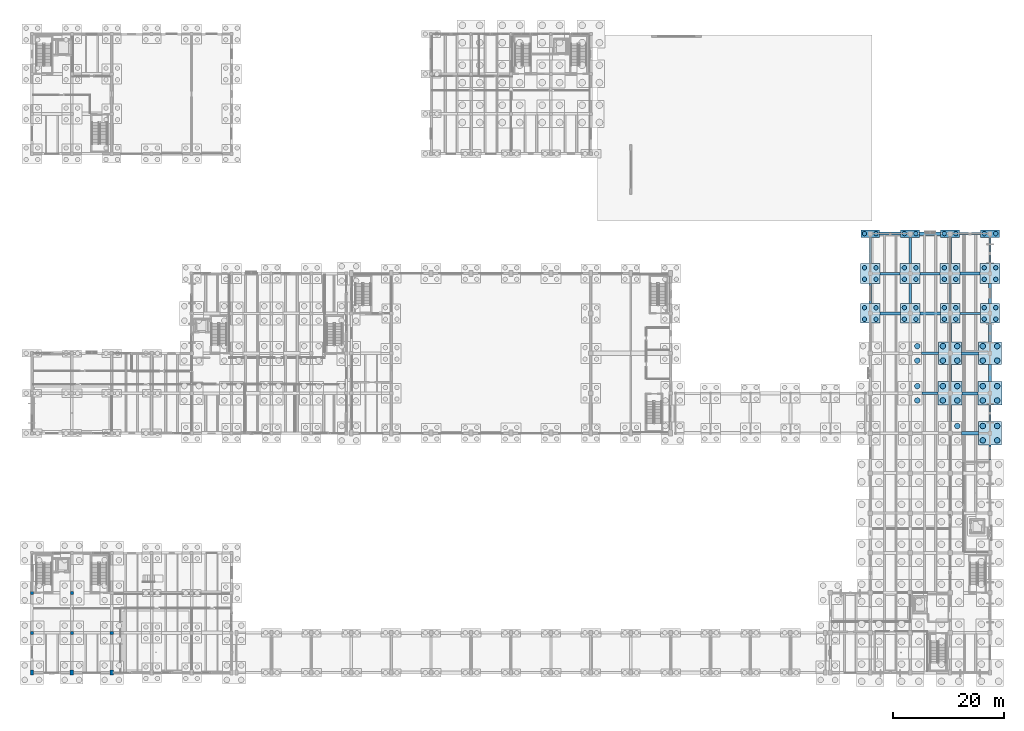
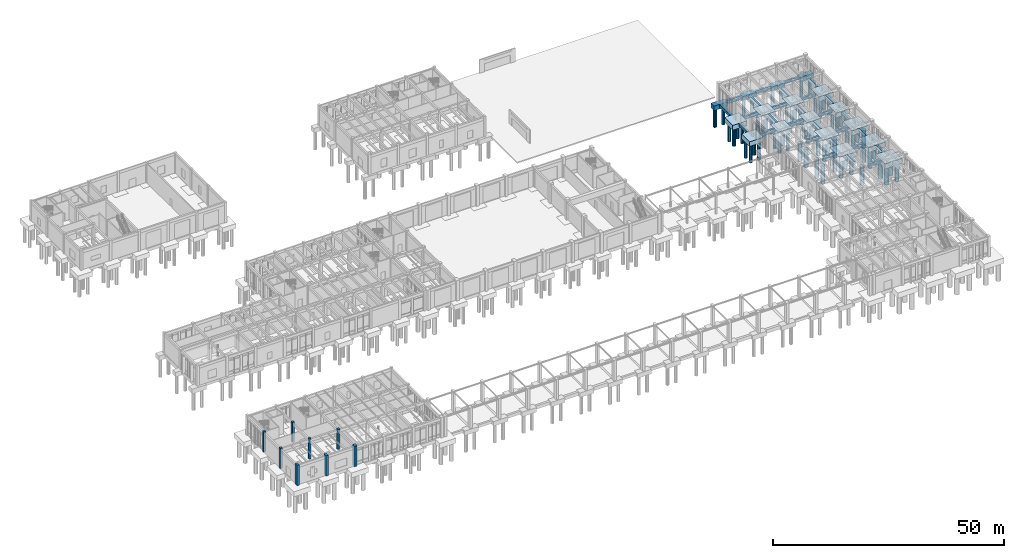
# One storey, part 10 of 93: 65 piles, 46 footings, 8 columns.
"""IFC4 building model written with IfcOpenShell, lengths in metres."""

from ifc_helpers import new_model, si_unit, direction, frame, origin, origin_2d, place, context, subcontext, project, spatial, rectangle, circle, extrude, material, material_profile, profile_set, type_object, element, save


model = new_model("IFC4")

# Units and contexts
model_context = context("Model", 3, precision=1e-05, world=origin(), true_north=direction((0.0, 1.0)))
body_context = subcontext(model_context, "Body", "Model", "MODEL_VIEW")
ifc_project = project(units=[si_unit("LENGTHUNIT", "METRE"), si_unit("AREAUNIT", "SQUARE_METRE"), si_unit("VOLUMEUNIT", "CUBIC_METRE"), si_unit("PLANEANGLEUNIT", "RADIAN"), si_unit("MASSUNIT", "GRAM", prefix="KILO")], contexts=[model_context])

# Site, building, storey
site_placement = place(None, origin())
site = spatial("IfcSite", under=ifc_project, at=site_placement, CompositionType="ELEMENT")
building_placement = place(site_placement, origin())
building = spatial("IfcBuilding", under=site, at=building_placement, Name="Koriwan Promenade Central Fire Station", CompositionType="ELEMENT")
storey_placement = place(building_placement, origin())
storey = spatial("IfcBuildingStorey", under=building, at=storey_placement, Name="L00", CompositionType="ELEMENT", Elevation=0.0)

# Piles
ifc_material_1 = material(Name="Concrete C35/45", Category="concrete")
ifc_material_profile_1 = material_profile(ifc_material_1, circle(Radius=0.5, at=origin_2d()), Name="PILE-D1000")
ifc_profile_set_1 = profile_set([ifc_material_profile_1], Name="Concrete C35/45")
pile_type_1 = type_object("IfcPileType", Name="BoredPile_1000", PredefinedType="BORED", material=ifc_profile_set_1)
for number, where, z_axis, x_axis, name in (
    (1, (159.699951171875, 49.10009765625, -1.14990234375), (0.0, 0.0, -1.0), (1.0, 0.0, 0.0), "Bored pile PCAP_185-21"),
    (2, (159.699951171875, 51.699951171875, -1.14990234375), (0.0, 0.0, -1.0), (1.0, 0.0, 0.0), "Bored pile PCAP_185-22"),
    (3, (159.699951171875, 56.300048828125, -1.14990234375), (0.0, 0.0, -1.0), (1.0, 0.0, 0.0), "Bored pile PCAP_186-21"),
    (4, (159.699951171875, 58.89990234375, -1.14990234375), (0.0, 0.0, -1.0), (1.0, 0.0, 0.0), "Bored pile PCAP_186-22"),
    (5, (166.89990234375, 44.5, -1.14990234375), (0.0, 0.0, -1.0), (1.0, 0.0, 0.0), "Bored pile PCAP_196-22"),
    (6, (164.300048828125, 49.10009765625, -1.14990234375), (0.0, 0.0, -1.0), (1.0, 0.0, 0.0), "Bored pile PCAP_197-11"),
    (7, (164.300048828125, 51.699951171875, -1.14990234375), (0.0, 0.0, -1.0), (1.0, 0.0, 0.0), "Bored pile PCAP_197-12"),
    (8, (166.89990234375, 49.10009765625, -1.14990234375), (0.0, 0.0, -1.0), (1.0, 0.0, 0.0), "Bored pile PCAP_197-21"),
    (9, (166.89990234375, 51.699951171875, -1.14990234375), (0.0, 0.0, -1.0), (1.0, 0.0, 0.0), "Bored pile PCAP_197-22"),
    (10, (164.300048828125, 56.300048828125, -1.14990234375), (0.0, 0.0, -1.0), (1.0, 0.0, 0.0), "Bored pile PCAP_198-11"),
    (11, (164.300048828125, 58.89990234375, -1.14990234375), (0.0, 0.0, -1.0), (1.0, 0.0, 0.0), "Bored pile PCAP_198-12"),
    (12, (166.89990234375, 56.300048828125, -1.14990234375), (0.0, 0.0, -1.0), (1.0, 0.0, 0.0), "Bored pile PCAP_198-21"),
    (13, (166.89990234375, 58.89990234375, -1.14990234375), (0.0, 0.0, -1.0), (1.0, 0.0, 0.0), "Bored pile PCAP_198-22"),
    (14, (171.5, 41.89990234375, -1.14990234375), (0.0, 0.0, -1.0), (1.0, 0.0, 0.0), "Bored pile PCAP_208-11"),
    (15, (171.5, 44.5, -1.14990234375), (0.0, 0.0, -1.0), (1.0, 0.0, 0.0), "Bored pile PCAP_208-12"),
    (16, (174.10009765625, 41.89990234375, -1.14990234375), (0.0, 0.0, -1.0), (1.0, 0.0, 0.0), "Bored pile PCAP_208-21"),
    (17, (174.10009765625, 44.5, -1.14990234375), (0.0, 0.0, -1.0), (1.0, 0.0, 0.0), "Bored pile PCAP_208-22"),
    (18, (171.5, 49.10009765625, -1.14990234375), (0.0, 0.0, -1.0), (1.0, 0.0, 0.0), "Bored pile PCAP_209-11"),
    (19, (171.5, 51.699951171875, -1.14990234375), (0.0, 0.0, -1.0), (1.0, 0.0, 0.0), "Bored pile PCAP_209-12"),
    (20, (174.10009765625, 49.10009765625, -1.14990234375), (0.0, 0.0, -1.0), (1.0, 0.0, 0.0), "Bored pile PCAP_209-21"),
    (21, (174.10009765625, 51.699951171875, -1.14990234375), (0.0, 0.0, -1.0), (1.0, 0.0, 0.0), "Bored pile PCAP_209-22"),
    (22, (171.5, 56.300048828125, -1.14990234375), (0.0, 0.0, -1.0), (1.0, 0.0, 0.0), "Bored pile PCAP_210-11"),
    (23, (171.5, 58.89990234375, -1.14990234375), (0.0, 0.0, -1.0), (1.0, 0.0, 0.0), "Bored pile PCAP_210-12"),
    (24, (174.10009765625, 56.300048828125, -1.14990234375), (0.0, 0.0, -1.0), (1.0, 0.0, 0.0), "Bored pile PCAP_210-21"),
    (25, (174.10009765625, 58.89990234375, -1.14990234375), (0.0, 0.0, -1.0), (1.0, 0.0, 0.0), "Bored pile PCAP_210-22"),
):
    element("IfcPile", number, at=place(storey_placement, frame(where, z_axis=z_axis, x_axis=x_axis)), inside=storey, type_object=pile_type_1, Name=name, PredefinedType="BORED", context=body_context, shape_type="SweptSolid", body=[
        extrude(circle(Radius=0.5, at=origin_2d()), origin(), (0.0, 0.0, 1.0), 4.89990234375),
    ])
ifc_material_profile_2 = material_profile(ifc_material_1, circle(Radius=0.39990234375, at=origin_2d()), Name="PILE-D800")
ifc_profile_set_2 = profile_set([ifc_material_profile_2], Name="Concrete C35/45")
pile_type_2 = type_object("IfcPileType", Name="BoredPile_800", PredefinedType="BORED", material=ifc_profile_set_2)
for number, where, z_axis, x_axis, name in (
    (26, (150.159912109375, 63.760009765625, -1.10009765625), (0.0, 0.0, -1.0), (1.0, 0.0, 0.0), "Bored pile PCAP_175-11"),
    (27, (150.159912109375, 65.840087890625, -1.10009765625), (0.0, 0.0, -1.0), (1.0, 0.0, 0.0), "Bored pile PCAP_175-12"),
    (28, (152.239990234375, 63.760009765625, -1.10009765625), (0.0, 0.0, -1.0), (1.0, 0.0, 0.0), "Bored pile PCAP_175-21"),
    (29, (152.239990234375, 65.840087890625, -1.10009765625), (0.0, 0.0, -1.0), (1.0, 0.0, 0.0), "Bored pile PCAP_175-22"),
    (30, (150.159912109375, 70.9599609375, -1.10009765625), (0.0, 0.0, -1.0), (1.0, 0.0, 0.0), "Bored pile PCAP_176-11"),
    (31, (150.159912109375, 73.0400390625, -1.10009765625), (0.0, 0.0, -1.0), (1.0, 0.0, 0.0), "Bored pile PCAP_176-12"),
    (32, (152.239990234375, 70.9599609375, -1.10009765625), (0.0, 0.0, -1.0), (1.0, 0.0, 0.0), "Bored pile PCAP_176-21"),
    (33, (152.239990234375, 73.0400390625, -1.10009765625), (0.0, 0.0, -1.0), (1.0, 0.0, 0.0), "Bored pile PCAP_176-22"),
):
    element("IfcPile", number, at=place(storey_placement, frame(where, z_axis=z_axis, x_axis=x_axis)), inside=storey, type_object=pile_type_2, Name=name, PredefinedType="BORED", context=body_context, shape_type="SweptSolid", body=[
        extrude(circle(Radius=0.39990234375, at=origin_2d()), origin(), (0.0, 0.0, 1.0), 4.949951171875),
    ])
for number, where, z_axis, x_axis, name in (
    (34, (150.159912109375, 79.199951171875, -1.050048828125), (0.0, 0.0, -1.0), (1.0, 0.0, 0.0), "Bored pile PCAP_177-11"),
    (35, (152.239990234375, 79.199951171875, -1.050048828125), (0.0, 0.0, -1.0), (1.0, 0.0, 0.0), "Bored pile PCAP_177-21"),
):
    element("IfcPile", number, at=place(storey_placement, frame(where, z_axis=z_axis, x_axis=x_axis)), inside=storey, type_object=pile_type_2, Name=name, PredefinedType="BORED", context=body_context, shape_type="SweptSolid", body=[
        extrude(circle(Radius=0.39990234375, at=origin_2d()), origin(), (0.0, 0.0, 1.0), 5.0),
    ])
for number, where, z_axis, x_axis, name in (
    (36, (157.360107421875, 63.760009765625, -1.10009765625), (0.0, 0.0, -1.0), (1.0, 0.0, 0.0), "Bored pile PCAP_187-11"),
    (37, (157.360107421875, 65.840087890625, -1.10009765625), (0.0, 0.0, -1.0), (1.0, 0.0, 0.0), "Bored pile PCAP_187-12"),
    (38, (159.43994140625, 63.760009765625, -1.10009765625), (0.0, 0.0, -1.0), (1.0, 0.0, 0.0), "Bored pile PCAP_187-21"),
    (39, (159.43994140625, 65.840087890625, -1.10009765625), (0.0, 0.0, -1.0), (1.0, 0.0, 0.0), "Bored pile PCAP_187-22"),
    (40, (157.360107421875, 70.9599609375, -1.10009765625), (0.0, 0.0, -1.0), (1.0, 0.0, 0.0), "Bored pile PCAP_188-11"),
    (41, (157.360107421875, 73.0400390625, -1.10009765625), (0.0, 0.0, -1.0), (1.0, 0.0, 0.0), "Bored pile PCAP_188-12"),
    (42, (159.43994140625, 70.9599609375, -1.10009765625), (0.0, 0.0, -1.0), (1.0, 0.0, 0.0), "Bored pile PCAP_188-21"),
    (43, (159.43994140625, 73.0400390625, -1.10009765625), (0.0, 0.0, -1.0), (1.0, 0.0, 0.0), "Bored pile PCAP_188-22"),
):
    element("IfcPile", number, at=place(storey_placement, frame(where, z_axis=z_axis, x_axis=x_axis)), inside=storey, type_object=pile_type_2, Name=name, PredefinedType="BORED", context=body_context, shape_type="SweptSolid", body=[
        extrude(circle(Radius=0.39990234375, at=origin_2d()), origin(), (0.0, 0.0, 1.0), 4.949951171875),
    ])
for number, where, z_axis, x_axis, name in (
    (44, (157.360107421875, 79.199951171875, -1.050048828125), (0.0, 0.0, -1.0), (1.0, 0.0, 0.0), "Bored pile PCAP_189-11"),
    (45, (159.43994140625, 79.199951171875, -1.050048828125), (0.0, 0.0, -1.0), (1.0, 0.0, 0.0), "Bored pile PCAP_189-21"),
):
    element("IfcPile", number, at=place(storey_placement, frame(where, z_axis=z_axis, x_axis=x_axis)), inside=storey, type_object=pile_type_2, Name=name, PredefinedType="BORED", context=body_context, shape_type="SweptSolid", body=[
        extrude(circle(Radius=0.39990234375, at=origin_2d()), origin(), (0.0, 0.0, 1.0), 5.0),
    ])
for number, where, z_axis, x_axis, name in (
    (46, (164.56005859375, 63.760009765625, -1.10009765625), (0.0, 0.0, -1.0), (1.0, 0.0, 0.0), "Bored pile PCAP_199-11"),
    (47, (164.56005859375, 65.840087890625, -1.10009765625), (0.0, 0.0, -1.0), (1.0, 0.0, 0.0), "Bored pile PCAP_199-12"),
    (48, (166.639892578125, 63.760009765625, -1.10009765625), (0.0, 0.0, -1.0), (1.0, 0.0, 0.0), "Bored pile PCAP_199-21"),
    (49, (166.639892578125, 65.840087890625, -1.10009765625), (0.0, 0.0, -1.0), (1.0, 0.0, 0.0), "Bored pile PCAP_199-22"),
    (50, (164.56005859375, 70.9599609375, -1.10009765625), (0.0, 0.0, -1.0), (1.0, 0.0, 0.0), "Bored pile PCAP_200-11"),
    (51, (164.56005859375, 73.0400390625, -1.10009765625), (0.0, 0.0, -1.0), (1.0, 0.0, 0.0), "Bored pile PCAP_200-12"),
    (52, (166.639892578125, 70.9599609375, -1.10009765625), (0.0, 0.0, -1.0), (1.0, 0.0, 0.0), "Bored pile PCAP_200-21"),
    (53, (166.639892578125, 73.0400390625, -1.10009765625), (0.0, 0.0, -1.0), (1.0, 0.0, 0.0), "Bored pile PCAP_200-22"),
):
    element("IfcPile", number, at=place(storey_placement, frame(where, z_axis=z_axis, x_axis=x_axis)), inside=storey, type_object=pile_type_2, Name=name, PredefinedType="BORED", context=body_context, shape_type="SweptSolid", body=[
        extrude(circle(Radius=0.39990234375, at=origin_2d()), origin(), (0.0, 0.0, 1.0), 4.949951171875),
    ])
for number, where, z_axis, x_axis, name in (
    (54, (164.56005859375, 79.199951171875, -1.050048828125), (0.0, 0.0, -1.0), (1.0, 0.0, 0.0), "Bored pile PCAP_201-11"),
    (55, (166.639892578125, 79.199951171875, -1.050048828125), (0.0, 0.0, -1.0), (1.0, 0.0, 0.0), "Bored pile PCAP_201-21"),
):
    element("IfcPile", number, at=place(storey_placement, frame(where, z_axis=z_axis, x_axis=x_axis)), inside=storey, type_object=pile_type_2, Name=name, PredefinedType="BORED", context=body_context, shape_type="SweptSolid", body=[
        extrude(circle(Radius=0.39990234375, at=origin_2d()), origin(), (0.0, 0.0, 1.0), 5.0),
    ])
for number, where, z_axis, x_axis, name in (
    (56, (171.760009765625, 63.760009765625, -1.10009765625), (0.0, 0.0, -1.0), (1.0, 0.0, 0.0), "Bored pile PCAP_211-11"),
    (57, (171.760009765625, 65.840087890625, -1.10009765625), (0.0, 0.0, -1.0), (1.0, 0.0, 0.0), "Bored pile PCAP_211-12"),
    (58, (173.840087890625, 63.760009765625, -1.10009765625), (0.0, 0.0, -1.0), (1.0, 0.0, 0.0), "Bored pile PCAP_211-21"),
    (59, (173.840087890625, 65.840087890625, -1.10009765625), (0.0, 0.0, -1.0), (1.0, 0.0, 0.0), "Bored pile PCAP_211-22"),
    (60, (171.760009765625, 70.9599609375, -1.10009765625), (0.0, 0.0, -1.0), (1.0, 0.0, 0.0), "Bored pile PCAP_212-11"),
    (61, (171.760009765625, 73.0400390625, -1.10009765625), (0.0, 0.0, -1.0), (1.0, 0.0, 0.0), "Bored pile PCAP_212-12"),
    (62, (173.840087890625, 70.9599609375, -1.10009765625), (0.0, 0.0, -1.0), (1.0, 0.0, 0.0), "Bored pile PCAP_212-21"),
    (63, (173.840087890625, 73.0400390625, -1.10009765625), (0.0, 0.0, -1.0), (1.0, 0.0, 0.0), "Bored pile PCAP_212-22"),
):
    element("IfcPile", number, at=place(storey_placement, frame(where, z_axis=z_axis, x_axis=x_axis)), inside=storey, type_object=pile_type_2, Name=name, PredefinedType="BORED", context=body_context, shape_type="SweptSolid", body=[
        extrude(circle(Radius=0.39990234375, at=origin_2d()), origin(), (0.0, 0.0, 1.0), 4.949951171875),
    ])
for number, where, z_axis, x_axis, name in (
    (64, (171.760009765625, 79.199951171875, -1.050048828125), (0.0, 0.0, -1.0), (1.0, 0.0, 0.0), "Bored pile PCAP_213-11"),
    (65, (173.840087890625, 79.199951171875, -1.050048828125), (0.0, 0.0, -1.0), (1.0, 0.0, 0.0), "Bored pile PCAP_213-21"),
):
    element("IfcPile", number, at=place(storey_placement, frame(where, z_axis=z_axis, x_axis=x_axis)), inside=storey, type_object=pile_type_2, Name=name, PredefinedType="BORED", context=body_context, shape_type="SweptSolid", body=[
        extrude(circle(Radius=0.39990234375, at=origin_2d()), origin(), (0.0, 0.0, 1.0), 5.0),
    ])

# Footings
footing_type_1 = type_object("IfcFootingType", Name="GroundTieBeam_400x700", PredefinedType="FOOTING_BEAM", material=ifc_material_1)
footing_1_placement = place(storey_placement, frame((169.199951171875, 64.800048828125, -0.7001953125), z_axis=(0.0, 0.0, 1.0), x_axis=(1.0, 0.0, 0.0)))
element("IfcFooting", 66, at=footing_1_placement, inside=storey, type_object=footing_type_1, Name="Seismic tie beam X-132", PredefinedType="FOOTING_BEAM", context=body_context, shape_type="SweptSolid", body=[
    extrude(rectangle(XDim=3.699951171875, YDim=0.39990234375, at=origin_2d()), origin(), (0.0, 0.0, 1.0), 0.699951171875),
])
footing_2_placement = place(storey_placement, frame((169.199951171875, 79.199951171875, -0.7001953125), z_axis=(0.0, 0.0, 1.0), x_axis=(1.0, 0.0, 0.0)))
element("IfcFooting", 67, at=footing_2_placement, inside=storey, type_object=footing_type_1, Name="Seismic tie beam X-150", PredefinedType="FOOTING_BEAM", context=body_context, shape_type="SweptSolid", body=[
    extrude(rectangle(XDim=3.800048828125, YDim=0.39990234375, at=origin_2d()), origin(), (0.0, 0.0, 1.0), 0.699951171875),
])
footing_3_placement = place(storey_placement, frame((165.60009765625, 68.375, -0.7001953125), z_axis=(0.0, 0.0, 1.0), x_axis=(0.0, 1.0, 0.0)))
element("IfcFooting", 68, at=footing_3_placement, inside=storey, type_object=footing_type_1, Name="Seismic tie beam Y-312", PredefinedType="FOOTING_BEAM", context=body_context, shape_type="SweptSolid", body=[
    extrude(rectangle(XDim=3.64990234375, YDim=0.39990234375, at=origin_2d()), origin(), (0.0, 0.0, 1.0), 0.699951171875),
])
footing_4_placement = place(storey_placement, frame((172.800048828125, 76.16259765625, -0.7001953125), z_axis=(0.0, 0.0, 1.0), x_axis=(0.0, 1.0, 0.0)))
element("IfcFooting", 69, at=footing_4_placement, inside=storey, type_object=footing_type_1, Name="Seismic tie beam Y-324", PredefinedType="FOOTING_BEAM", context=body_context, shape_type="SweptSolid", body=[
    extrude(rectangle(XDim=4.72509765625, YDim=0.39990234375, at=origin_2d()), origin(), (0.0, 0.0, 1.0), 0.699951171875),
])
footing_type_2 = type_object("IfcFootingType", Name="GroundTieBeam_450x750", PredefinedType="FOOTING_BEAM", material=ifc_material_1)
footing_5_placement = place(storey_placement, frame((154.800048828125, 72.0, -0.75), z_axis=(0.0, 0.0, 1.0), x_axis=(1.0, 0.0, 0.0)))
element("IfcFooting", 70, at=footing_5_placement, inside=storey, type_object=footing_type_2, Name="Seismic tie beam X-145", PredefinedType="FOOTING_BEAM", context=body_context, shape_type="SweptSolid", body=[
    extrude(rectangle(XDim=3.60009765625, YDim=0.449951171875, at=origin_2d()), origin(), (0.0, 0.0, 1.0), 0.75),
])
footing_6_placement = place(storey_placement, frame((158.39990234375, 68.375, -0.75), z_axis=(0.0, 0.0, 1.0), x_axis=(0.0, 1.0, 0.0)))
element("IfcFooting", 71, at=footing_6_placement, inside=storey, type_object=footing_type_2, Name="Seismic tie beam Y-301", PredefinedType="FOOTING_BEAM", context=body_context, shape_type="SweptSolid", body=[
    extrude(rectangle(XDim=3.64990234375, YDim=0.449951171875, at=origin_2d()), origin(), (0.0, 0.0, 1.0), 0.75),
])
footing_7_placement = place(storey_placement, frame((165.60009765625, 76.16259765625, -0.75), z_axis=(0.0, 0.0, 1.0), x_axis=(0.0, 1.0, 0.0)))
element("IfcFooting", 72, at=footing_7_placement, inside=storey, type_object=footing_type_2, Name="Seismic tie beam Y-313", PredefinedType="FOOTING_BEAM", context=body_context, shape_type="SweptSolid", body=[
    extrude(rectangle(XDim=4.72509765625, YDim=0.449951171875, at=origin_2d()), origin(), (0.0, 0.0, 1.0), 0.75),
])
footing_8_placement = place(storey_placement, frame((172.800048828125, 39.762451171875, -0.75), z_axis=(0.0, 0.0, 1.0), x_axis=(0.0, 1.0, 0.0)))
element("IfcFooting", 73, at=footing_8_placement, inside=storey, type_object=footing_type_2, Name="Seismic tie beam Y-319", PredefinedType="FOOTING_BEAM", context=body_context, shape_type="SweptSolid", body=[
    extrude(rectangle(XDim=2.675048828125, YDim=0.449951171875, at=origin_2d()), origin(), (0.0, 0.0, 1.0), 0.75),
])
footing_type_3 = type_object("IfcFootingType", Name="GroundTieBeam_450x800", PredefinedType="FOOTING_BEAM", material=ifc_material_1)
footing_9_placement = place(storey_placement, frame((162.0, 72.0, -0.7998046875), z_axis=(0.0, 0.0, 1.0), x_axis=(1.0, 0.0, 0.0)))
element("IfcFooting", 74, at=footing_9_placement, inside=storey, type_object=footing_type_3, Name="Seismic tie beam X-146", PredefinedType="FOOTING_BEAM", context=body_context, shape_type="SweptSolid", body=[
    extrude(rectangle(XDim=3.60009765625, YDim=0.449951171875, at=origin_2d()), origin(), (0.0, 0.0, 1.0), 0.800048828125),
])
footing_10_placement = place(storey_placement, frame((151.199951171875, 68.375, -0.7998046875), z_axis=(0.0, 0.0, 1.0), x_axis=(0.0, 1.0, 0.0)))
element("IfcFooting", 75, at=footing_10_placement, inside=storey, type_object=footing_type_3, Name="Seismic tie beam Y-290", PredefinedType="FOOTING_BEAM", context=body_context, shape_type="SweptSolid", body=[
    extrude(rectangle(XDim=3.64990234375, YDim=0.449951171875, at=origin_2d()), origin(), (0.0, 0.0, 1.0), 0.800048828125),
])
footing_11_placement = place(storey_placement, frame((158.39990234375, 76.16259765625, -0.7998046875), z_axis=(0.0, 0.0, 1.0), x_axis=(0.0, 1.0, 0.0)))
element("IfcFooting", 76, at=footing_11_placement, inside=storey, type_object=footing_type_3, Name="Seismic tie beam Y-302", PredefinedType="FOOTING_BEAM", context=body_context, shape_type="SweptSolid", body=[
    extrude(rectangle(XDim=4.72509765625, YDim=0.449951171875, at=origin_2d()), origin(), (0.0, 0.0, 1.0), 0.800048828125),
])
footing_12_placement = place(storey_placement, frame((172.800048828125, 46.77490234375, -0.7998046875), z_axis=(0.0, 0.0, 1.0), x_axis=(0.0, 1.0, 0.0)))
element("IfcFooting", 77, at=footing_12_placement, inside=storey, type_object=footing_type_3, Name="Seismic tie beam Y-320", PredefinedType="FOOTING_BEAM", context=body_context, shape_type="SweptSolid", body=[
    extrude(rectangle(XDim=2.949951171875, YDim=0.449951171875, at=origin_2d()), origin(), (0.0, 0.0, 1.0), 0.800048828125),
])
footing_type_4 = type_object("IfcFootingType", Name="GroundTieBeam_500x850", PredefinedType="FOOTING_BEAM", material=ifc_material_1)
footing_13_placement = place(storey_placement, frame((162.0, 50.39990234375, -0.85009765625), z_axis=(0.0, 0.0, 1.0), x_axis=(1.0, 0.0, 0.0)))
element("IfcFooting", 78, at=footing_13_placement, inside=storey, type_object=footing_type_4, Name="Seismic tie beam X-111", PredefinedType="FOOTING_BEAM", context=body_context, shape_type="SweptSolid", body=[
    extrude(rectangle(XDim=2.89990234375, YDim=0.5, at=origin_2d()), origin(), (0.0, 0.0, 1.0), 0.85009765625),
])
footing_14_placement = place(storey_placement, frame((162.0, 57.60009765625, -0.85009765625), z_axis=(0.0, 0.0, 1.0), x_axis=(1.0, 0.0, 0.0)))
element("IfcFooting", 79, at=footing_14_placement, inside=storey, type_object=footing_type_4, Name="Seismic tie beam X-123", PredefinedType="FOOTING_BEAM", context=body_context, shape_type="SweptSolid", body=[
    extrude(rectangle(XDim=3.10009765625, YDim=0.5, at=origin_2d()), origin(), (0.0, 0.0, 1.0), 0.85009765625),
])
footing_15_placement = place(storey_placement, frame((169.199951171875, 72.0, -0.85009765625), z_axis=(0.0, 0.0, 1.0), x_axis=(1.0, 0.0, 0.0)))
element("IfcFooting", 80, at=footing_15_placement, inside=storey, type_object=footing_type_4, Name="Seismic tie beam X-147", PredefinedType="FOOTING_BEAM", context=body_context, shape_type="SweptSolid", body=[
    extrude(rectangle(XDim=3.60009765625, YDim=0.5, at=origin_2d()), origin(), (0.0, 0.0, 1.0), 0.85009765625),
])
footing_16_placement = place(storey_placement, frame((151.199951171875, 76.16259765625, -0.85009765625), z_axis=(0.0, 0.0, 1.0), x_axis=(0.0, 1.0, 0.0)))
element("IfcFooting", 81, at=footing_16_placement, inside=storey, type_object=footing_type_4, Name="Seismic tie beam Y-291", PredefinedType="FOOTING_BEAM", context=body_context, shape_type="SweptSolid", body=[
    extrude(rectangle(XDim=4.72509765625, YDim=0.5, at=origin_2d()), origin(), (0.0, 0.0, 1.0), 0.85009765625),
])
footing_17_placement = place(storey_placement, frame((165.60009765625, 46.77490234375, -0.85009765625), z_axis=(0.0, 0.0, 1.0), x_axis=(0.0, 1.0, 0.0)))
element("IfcFooting", 82, at=footing_17_placement, inside=storey, type_object=footing_type_4, Name="Seismic tie beam Y-309", PredefinedType="FOOTING_BEAM", context=body_context, shape_type="SweptSolid", body=[
    extrude(rectangle(XDim=2.949951171875, YDim=0.5, at=origin_2d()), origin(), (0.0, 0.0, 1.0), 0.85009765625),
])
footing_18_placement = place(storey_placement, frame((172.800048828125, 54.050048828125, -0.85009765625), z_axis=(0.0, 0.0, 1.0), x_axis=(0.0, 1.0, 0.0)))
element("IfcFooting", 83, at=footing_18_placement, inside=storey, type_object=footing_type_4, Name="Seismic tie beam Y-321", PredefinedType="FOOTING_BEAM", context=body_context, shape_type="SweptSolid", body=[
    extrude(rectangle(XDim=3.0, YDim=0.5, at=origin_2d()), origin(), (0.0, 0.0, 1.0), 0.85009765625),
])
footing_type_5 = type_object("IfcFootingType", Name="GroundTieBeam_550x900", PredefinedType="FOOTING_BEAM", material=ifc_material_1)
footing_19_placement = place(storey_placement, frame((169.199951171875, 50.39990234375, -0.89990234375), z_axis=(0.0, 0.0, 1.0), x_axis=(1.0, 0.0, 0.0)))
element("IfcFooting", 84, at=footing_19_placement, inside=storey, type_object=footing_type_5, Name="Seismic tie beam X-112", PredefinedType="FOOTING_BEAM", context=body_context, shape_type="SweptSolid", body=[
    extrude(rectangle(XDim=2.89990234375, YDim=0.550048828125, at=origin_2d()), origin(), (0.0, 0.0, 1.0), 0.89990234375),
])
footing_20_placement = place(storey_placement, frame((169.199951171875, 57.60009765625, -0.89990234375), z_axis=(0.0, 0.0, 1.0), x_axis=(1.0, 0.0, 0.0)))
element("IfcFooting", 85, at=footing_20_placement, inside=storey, type_object=footing_type_5, Name="Seismic tie beam X-124", PredefinedType="FOOTING_BEAM", context=body_context, shape_type="SweptSolid", body=[
    extrude(rectangle(XDim=3.10009765625, YDim=0.550048828125, at=origin_2d()), origin(), (0.0, 0.0, 1.0), 0.89990234375),
])
footing_21_placement = place(storey_placement, frame((154.800048828125, 64.800048828125, -0.89990234375), z_axis=(0.0, 0.0, 1.0), x_axis=(1.0, 0.0, 0.0)))
element("IfcFooting", 86, at=footing_21_placement, inside=storey, type_object=footing_type_5, Name="Seismic tie beam X-130", PredefinedType="FOOTING_BEAM", context=body_context, shape_type="SweptSolid", body=[
    extrude(rectangle(XDim=3.699951171875, YDim=0.550048828125, at=origin_2d()), origin(), (0.0, 0.0, 1.0), 0.89990234375),
])
footing_22_placement = place(storey_placement, frame((154.800048828125, 79.199951171875, -0.89990234375), z_axis=(0.0, 0.0, 1.0), x_axis=(1.0, 0.0, 0.0)))
element("IfcFooting", 87, at=footing_22_placement, inside=storey, type_object=footing_type_5, Name="Seismic tie beam X-148", PredefinedType="FOOTING_BEAM", context=body_context, shape_type="SweptSolid", body=[
    extrude(rectangle(XDim=3.800048828125, YDim=0.550048828125, at=origin_2d()), origin(), (0.0, 0.0, 1.0), 0.89990234375),
])
footing_23_placement = place(storey_placement, frame((165.60009765625, 54.050048828125, -0.89990234375), z_axis=(0.0, 0.0, 1.0), x_axis=(0.0, 1.0, 0.0)))
element("IfcFooting", 88, at=footing_23_placement, inside=storey, type_object=footing_type_5, Name="Seismic tie beam Y-310", PredefinedType="FOOTING_BEAM", context=body_context, shape_type="SweptSolid", body=[
    extrude(rectangle(XDim=3.0, YDim=0.550048828125, at=origin_2d()), origin(), (0.0, 0.0, 1.0), 0.89990234375),
])
footing_24_placement = place(storey_placement, frame((172.800048828125, 61.35009765625, -0.89990234375), z_axis=(0.0, 0.0, 1.0), x_axis=(0.0, 1.0, 0.0)))
element("IfcFooting", 89, at=footing_24_placement, inside=storey, type_object=footing_type_5, Name="Seismic tie beam Y-322", PredefinedType="FOOTING_BEAM", context=body_context, shape_type="SweptSolid", body=[
    extrude(rectangle(XDim=3.39990234375, YDim=0.550048828125, at=origin_2d()), origin(), (0.0, 0.0, 1.0), 0.89990234375),
])
footing_type_6 = type_object("IfcFootingType", Name="GroundTieBeam_600x950", PredefinedType="FOOTING_BEAM", material=ifc_material_1)
footing_25_placement = place(storey_placement, frame((169.199951171875, 43.199951171875, -0.9501953125), z_axis=(0.0, 0.0, 1.0), x_axis=(1.0, 0.0, 0.0)))
element("IfcFooting", 90, at=footing_25_placement, inside=storey, type_object=footing_type_6, Name="Seismic tie beam X-095", PredefinedType="FOOTING_BEAM", context=body_context, shape_type="SweptSolid", body=[
    extrude(rectangle(XDim=3.0, YDim=0.60009765625, at=origin_2d()), origin(), (0.0, 0.0, 1.0), 0.949951171875),
])
footing_26_placement = place(storey_placement, frame((162.0, 64.800048828125, -0.9501953125), z_axis=(0.0, 0.0, 1.0), x_axis=(1.0, 0.0, 0.0)))
element("IfcFooting", 91, at=footing_26_placement, inside=storey, type_object=footing_type_6, Name="Seismic tie beam X-131", PredefinedType="FOOTING_BEAM", context=body_context, shape_type="SweptSolid", body=[
    extrude(rectangle(XDim=3.699951171875, YDim=0.60009765625, at=origin_2d()), origin(), (0.0, 0.0, 1.0), 0.949951171875),
])
footing_27_placement = place(storey_placement, frame((162.0, 79.199951171875, -0.9501953125), z_axis=(0.0, 0.0, 1.0), x_axis=(1.0, 0.0, 0.0)))
element("IfcFooting", 92, at=footing_27_placement, inside=storey, type_object=footing_type_6, Name="Seismic tie beam X-149", PredefinedType="FOOTING_BEAM", context=body_context, shape_type="SweptSolid", body=[
    extrude(rectangle(XDim=3.800048828125, YDim=0.60009765625, at=origin_2d()), origin(), (0.0, 0.0, 1.0), 0.949951171875),
])
footing_28_placement = place(storey_placement, frame((165.60009765625, 61.35009765625, -0.9501953125), z_axis=(0.0, 0.0, 1.0), x_axis=(0.0, 1.0, 0.0)))
element("IfcFooting", 93, at=footing_28_placement, inside=storey, type_object=footing_type_6, Name="Seismic tie beam Y-311", PredefinedType="FOOTING_BEAM", context=body_context, shape_type="SweptSolid", body=[
    extrude(rectangle(XDim=3.39990234375, YDim=0.60009765625, at=origin_2d()), origin(), (0.0, 0.0, 1.0), 0.949951171875),
])
footing_29_placement = place(storey_placement, frame((172.800048828125, 68.375, -0.9501953125), z_axis=(0.0, 0.0, 1.0), x_axis=(0.0, 1.0, 0.0)))
element("IfcFooting", 94, at=footing_29_placement, inside=storey, type_object=footing_type_6, Name="Seismic tie beam Y-323", PredefinedType="FOOTING_BEAM", context=body_context, shape_type="SweptSolid", body=[
    extrude(rectangle(XDim=3.64990234375, YDim=0.60009765625, at=origin_2d()), origin(), (0.0, 0.0, 1.0), 0.949951171875),
])
footing_type_7 = type_object("IfcFootingType", Name="PileCap_3400x1350x1200", PredefinedType="PILE_CAP", material=ifc_material_1)
for number, where, z_axis, x_axis, name in (
    (95, (151.199951171875, 79.199951171875, -1.2001953125), (0.0, 0.0, 1.0), (1.0, 0.0, 0.0), "Pile cap PCAP_177 (3400x1350x1200)"),
    (96, (158.39990234375, 79.199951171875, -1.2001953125), (0.0, 0.0, 1.0), (1.0, 0.0, 0.0), "Pile cap PCAP_189 (3400x1350x1200)"),
    (97, (165.60009765625, 79.199951171875, -1.2001953125), (0.0, 0.0, 1.0), (1.0, 0.0, 0.0), "Pile cap PCAP_201 (3400x1350x1200)"),
    (98, (172.800048828125, 79.199951171875, -1.2001953125), (0.0, 0.0, 1.0), (1.0, 0.0, 0.0), "Pile cap PCAP_213 (3400x1350x1200)"),
):
    element("IfcFooting", number, at=place(storey_placement, frame(where, z_axis=z_axis, x_axis=x_axis)), inside=storey, type_object=footing_type_7, Name=name, PredefinedType="PILE_CAP", context=body_context, shape_type="SweptSolid", body=[
        extrude(rectangle(XDim=3.39990234375, YDim=1.35009765625, at=origin_2d()), origin(), (0.0, 0.0, 1.0), 1.199951171875),
    ])
footing_type_8 = type_object("IfcFootingType", Name="PileCap_3500x3500x1250", PredefinedType="PILE_CAP", material=ifc_material_1)
for number, where, z_axis, x_axis, name in (
    (99, (151.199951171875, 64.800048828125, -1.25), (0.0, 0.0, 1.0), (1.0, 0.0, 0.0), "Pile cap PCAP_175 (3500x3500x1250)"),
    (100, (158.39990234375, 64.800048828125, -1.25), (0.0, 0.0, 1.0), (1.0, 0.0, 0.0), "Pile cap PCAP_187 (3500x3500x1250)"),
    (101, (165.60009765625, 64.800048828125, -1.25), (0.0, 0.0, 1.0), (1.0, 0.0, 0.0), "Pile cap PCAP_199 (3500x3500x1250)"),
    (102, (172.800048828125, 64.800048828125, -1.25), (0.0, 0.0, 1.0), (1.0, 0.0, 0.0), "Pile cap PCAP_211 (3500x3500x1250)"),
):
    element("IfcFooting", number, at=place(storey_placement, frame(where, z_axis=z_axis, x_axis=x_axis)), inside=storey, type_object=footing_type_8, Name=name, PredefinedType="PILE_CAP", context=body_context, shape_type="SweptSolid", body=[
        extrude(rectangle(XDim=3.5, YDim=3.5, at=origin_2d()), origin(), (0.0, 0.0, 1.0), 1.25),
    ])
footing_type_9 = type_object("IfcFootingType", Name="PileCap_3600x3600x1250", PredefinedType="PILE_CAP", material=ifc_material_1)
for number, where, z_axis, x_axis, name in (
    (103, (151.199951171875, 72.0, -1.25), (0.0, 0.0, 1.0), (1.0, 0.0, 0.0), "Pile cap PCAP_176 (3600x3600x1250)"),
    (104, (158.39990234375, 72.0, -1.25), (0.0, 0.0, 1.0), (1.0, 0.0, 0.0), "Pile cap PCAP_188 (3600x3600x1250)"),
    (105, (165.60009765625, 72.0, -1.25), (0.0, 0.0, 1.0), (1.0, 0.0, 0.0), "Pile cap PCAP_200 (3600x3600x1250)"),
    (106, (172.800048828125, 72.0, -1.25), (0.0, 0.0, 1.0), (1.0, 0.0, 0.0), "Pile cap PCAP_212 (3600x3600x1250)"),
):
    element("IfcFooting", number, at=place(storey_placement, frame(where, z_axis=z_axis, x_axis=x_axis)), inside=storey, type_object=footing_type_9, Name=name, PredefinedType="PILE_CAP", context=body_context, shape_type="SweptSolid", body=[
        extrude(rectangle(XDim=3.60009765625, YDim=3.60009765625, at=origin_2d()), origin(), (0.0, 0.0, 1.0), 1.25),
    ])
footing_type_10 = type_object("IfcFootingType", Name="PileCap_4100x4100x1300", PredefinedType="PILE_CAP", material=ifc_material_1)
for number, where, z_axis, x_axis, name in (
    (107, (165.60009765625, 57.60009765625, -1.2998046875), (0.0, 0.0, 1.0), (1.0, 0.0, 0.0), "Pile cap PCAP_198 (4100x4100x1300)"),
    (108, (172.800048828125, 57.60009765625, -1.2998046875), (0.0, 0.0, 1.0), (1.0, 0.0, 0.0), "Pile cap PCAP_210 (4100x4100x1300)"),
):
    element("IfcFooting", number, at=place(storey_placement, frame(where, z_axis=z_axis, x_axis=x_axis)), inside=storey, type_object=footing_type_10, Name=name, PredefinedType="PILE_CAP", context=body_context, shape_type="SweptSolid", body=[
        extrude(rectangle(XDim=4.10009765625, YDim=4.10009765625, at=origin_2d()), origin(), (0.0, 0.0, 1.0), 1.300048828125),
    ])
footing_type_11 = type_object("IfcFootingType", Name="PileCap_4200x4200x1300", PredefinedType="PILE_CAP", material=ifc_material_1)
footing_30_placement = place(storey_placement, frame((172.800048828125, 43.199951171875, -1.2998046875), z_axis=(0.0, 0.0, 1.0), x_axis=(1.0, 0.0, 0.0)))
element("IfcFooting", 109, at=footing_30_placement, inside=storey, type_object=footing_type_11, Name="Pile cap PCAP_208 (4200x4200x1300)", PredefinedType="PILE_CAP", context=body_context, shape_type="SweptSolid", body=[
    extrude(rectangle(XDim=4.199951171875, YDim=4.199951171875, at=origin_2d()), origin(), (0.0, 0.0, 1.0), 1.300048828125),
])
footing_type_12 = type_object("IfcFootingType", Name="PileCap_4300x4300x1300", PredefinedType="PILE_CAP", material=ifc_material_1)
for number, where, z_axis, x_axis, name in (
    (110, (165.60009765625, 50.39990234375, -1.2998046875), (0.0, 0.0, 1.0), (1.0, 0.0, 0.0), "Pile cap PCAP_197 (4300x4300x1300)"),
    (111, (172.800048828125, 50.39990234375, -1.2998046875), (0.0, 0.0, 1.0), (1.0, 0.0, 0.0), "Pile cap PCAP_209 (4300x4300x1300)"),
):
    element("IfcFooting", number, at=place(storey_placement, frame(where, z_axis=z_axis, x_axis=x_axis)), inside=storey, type_object=footing_type_12, Name=name, PredefinedType="PILE_CAP", context=body_context, shape_type="SweptSolid", body=[
        extrude(rectangle(XDim=4.300048828125, YDim=4.300048828125, at=origin_2d()), origin(), (0.0, 0.0, 1.0), 1.300048828125),
    ])

# Columns
ifc_material_2 = material(Name="Concrete C40/50", Category="concrete")
ifc_material_profile_3 = material_profile(ifc_material_2, rectangle(XDim=0.550048828125, YDim=0.550048828125, at=origin_2d()), Name="RC-COL-550x550")
ifc_profile_set_3 = profile_set([ifc_material_profile_3], Name="Concrete C40/50")
column_type_1 = type_object("IfcColumnType", Name="Column_RC-COL-550x550", PredefinedType="COLUMN", material=ifc_profile_set_3)
for number, where, z_axis, x_axis, name in (
    (112, (0.0, 7.199951171875, 0.0), (0.0, 0.0, 1.0), (1.0, 0.0, 0.0), "V3 L00 column (0.0, 7.2)"),
    (113, (0.0, 14.39990234375, 0.0), (0.0, 0.0, 1.0), (1.0, 0.0, 0.0), "V3 L00 column (0.0, 14.4)"),
    (114, (7.199951171875, 7.199951171875, 0.0), (0.0, 0.0, 1.0), (1.0, 0.0, 0.0), "V3 L00 column (7.2, 7.2)"),
    (115, (7.199951171875, 14.39990234375, 0.0), (0.0, 0.0, 1.0), (1.0, 0.0, 0.0), "V3 L00 column (7.2, 14.4)"),
    (116, (14.39990234375, 7.199951171875, 0.0), (0.0, 0.0, 1.0), (1.0, 0.0, 0.0), "V3 L00 column (14.4, 7.2)"),
):
    element("IfcColumn", number, at=place(storey_placement, frame(where, z_axis=z_axis, x_axis=x_axis)), inside=storey, type_object=column_type_1, Name=name, PredefinedType="COLUMN", context=body_context, shape_type="SweptSolid", body=[
        extrude(rectangle(XDim=0.550048828125, YDim=0.550048828125, at=origin_2d()), origin(), (0.0, 0.0, 1.0), 5.39990234375),
    ])
ifc_material_profile_4 = material_profile(ifc_material_2, rectangle(XDim=0.60009765625, YDim=0.89990234375, at=origin_2d()), Name="RC-PIL-600x900")
ifc_profile_set_4 = profile_set([ifc_material_profile_4], Name="Concrete C40/50")
column_type_2 = type_object("IfcColumnType", Name="Column_RC-PIL-600x900", PredefinedType="PILASTER", material=ifc_profile_set_4)
for number, where, z_axis, x_axis, name in (
    (117, (0.0, 0.0, 0.0), (0.0, 0.0, 1.0), (1.0, 0.0, 0.0), "V3 L00 column (0.0, 0.0)"),
    (118, (7.199951171875, 0.0, 0.0), (0.0, 0.0, 1.0), (1.0, 0.0, 0.0), "V3 L00 column (7.2, 0.0)"),
    (119, (14.39990234375, 0.0, 0.0), (0.0, 0.0, 1.0), (1.0, 0.0, 0.0), "V3 L00 column (14.4, 0.0)"),
):
    element("IfcColumn", number, at=place(storey_placement, frame(where, z_axis=z_axis, x_axis=x_axis)), inside=storey, type_object=column_type_2, Name=name, PredefinedType="PILASTER", context=body_context, shape_type="SweptSolid", body=[
        extrude(rectangle(XDim=0.60009765625, YDim=0.89990234375, at=origin_2d()), origin(), (0.0, 0.0, 1.0), 5.39990234375),
    ])

save(model, "model.ifc")
